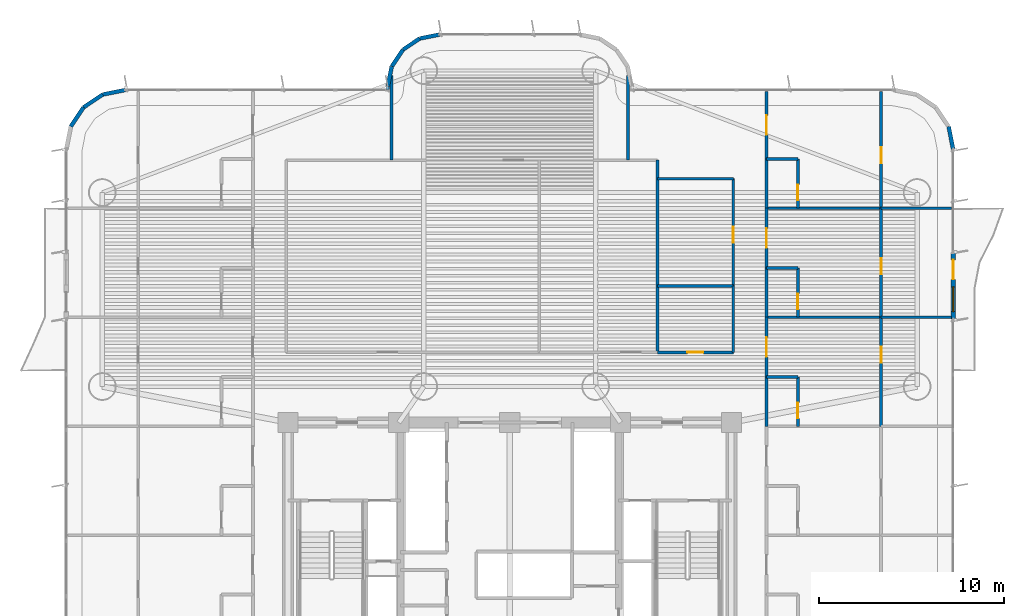
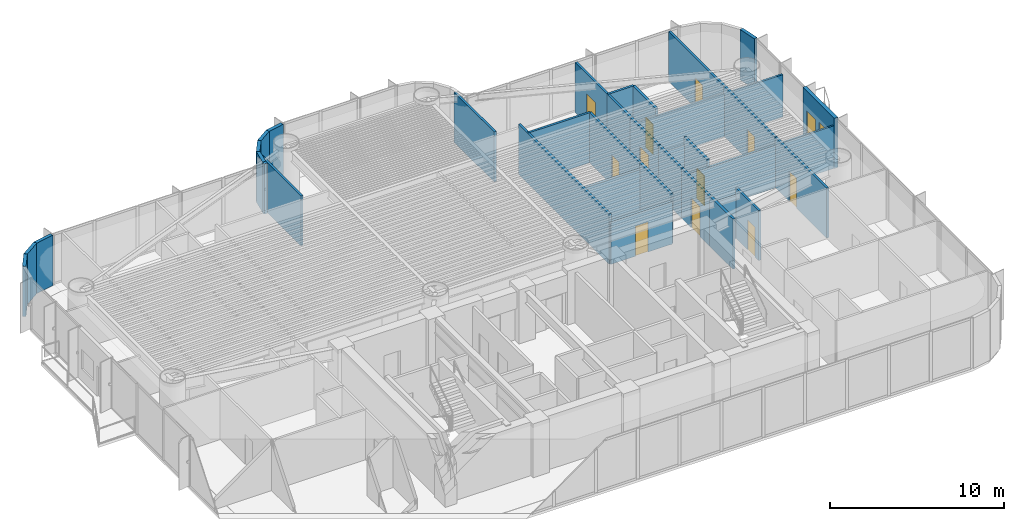
# One storey, part 13 of 18: 37 walls, 12 doors, 1 window, 13 openings.
"""IFC4 building model written with IfcOpenShell, lengths in metres."""

from ifc_helpers import new_model, si_unit, direction, frame, frame_2d, origin, origin_2d, place, context, subcontext, project, spatial, rectangle, extrude, source, transform, mapped, material, layer, layer_set, type_object, element, fill, save


model = new_model("IFC4")

# Units and contexts
model_context = context("Model", 3, precision=1e-05, world=origin(), true_north=direction((0.0, 1.0)))
body_context = subcontext(model_context, "Body", "Model", "MODEL_VIEW")
ifc_project = project(units=[si_unit("LENGTHUNIT", "METRE"), si_unit("AREAUNIT", "SQUARE_METRE"), si_unit("VOLUMEUNIT", "CUBIC_METRE"), si_unit("PLANEANGLEUNIT", "RADIAN"), si_unit("MASSUNIT", "GRAM", prefix="KILO")], contexts=[model_context])

# Site, building, storey
site_placement = place(None, origin())
site = spatial("IfcSite", under=ifc_project, at=site_placement, CompositionType="ELEMENT")
building_placement = place(site_placement, origin())
building = spatial("IfcBuilding", under=site, at=building_placement, Name="Brelvock Crest Care Tower", CompositionType="ELEMENT")
storey_placement = place(building_placement, frame((0.0, 0.0, 42.1201171875)))
storey = spatial("IfcBuildingStorey", under=building, at=storey_placement, Name="L10", CompositionType="ELEMENT", Elevation=42.1201171875)

# Wall, openings, door, window
ifc_material_1 = material(Name="Precast concrete N40 (40 MPa)", Category="concrete")
ifc_layer_1 = layer(ifc_material_1, 0.239990234375, Name="WL-EX1")
ifc_layer_set_1 = layer_set([ifc_layer_1], Name="Precast concrete N40 (40 MPa)")
wall_type_1 = type_object("IfcWallType", Name="WL-EX1", PredefinedType="SOLIDWALL", material=ifc_layer_set_1)
wall_1_placement = place(storey_placement, frame((60.0, 27.199951171875, 0.0), z_axis=(0.0, 0.0, 1.0), x_axis=(0.0, -1.0, 0.0)))
wall_1 = element("IfcWall", 1, at=wall_1_placement, inside=storey, type_object=wall_type_1, Name="L10 Exterior Spandrel Wall WL-BAL-L10-E", PredefinedType="SOLIDWALL", context=body_context, shape_type="SweptSolid", body=[
    extrude(rectangle(XDim=3.599853515625, YDim=0.239990234375, at=frame_2d((1.7998046875, 0.0))), origin(), (0.0, 0.0, 1.0), 3.52978515625),
])
opening_1_placement = place(wall_1_placement, frame((0.39990234375, 0.0, 0.0)))
opening_1 = element("IfcOpeningElement", 2, at=opening_1_placement, cuts=wall_1, Name="Opening BD-1", PredefinedType="OPENING", context=body_context, shape_type="SweptSolid", body=[
    extrude(rectangle(XDim=1.050048828125, YDim=2.14990234375, at=origin_2d()), frame((0.52490234375, 0.1298828125, 1.074951171875), z_axis=(0.0, -1.0, 0.0), x_axis=(1.0, 0.0, 0.0)), (0.0, 0.0, 1.0), 0.260009765625),
])
opening_2_placement = place(wall_1_placement, frame((1.85009765625, 0.0, 0.85009765625)))
opening_2 = element("IfcOpeningElement", 3, at=opening_2_placement, cuts=wall_1, Name="Opening W-01", PredefinedType="OPENING", context=body_context, shape_type="SweptSolid", body=[
    extrude(rectangle(XDim=1.35009765625, YDim=1.35009765625, at=origin_2d()), frame((0.675048828125, 0.1298828125, 0.675048828125), z_axis=(0.0, -1.0, 0.0), x_axis=(1.0, 0.0, 0.0)), (0.0, 0.0, 1.0), 0.260009765625),
])
ifc_material_2 = material(Name="Dark Glass Double Glazed Low-E", Category="glass")
door_type_1 = type_object("IfcDoorType", Name="DR-BAL1", OperationType="NOTDEFINED", PredefinedType="DOOR", material=ifc_material_2)
shared_shape_1 = source(origin(), body_context, "Body", "SweptSolid", [
    extrude(rectangle(XDim=1.050048828125, YDim=2.14990234375, at=origin_2d()), frame((0.52490234375, 0.02490234375, 1.074951171875), z_axis=(0.0, -1.0, 0.0), x_axis=(1.0, 0.0, 0.0)), (0.0, 0.0, 1.0), 0.050048828125),
])
door_1_placement = place(opening_1_placement, origin())
door_1 = element("IfcDoor", 4, at=door_1_placement, inside=storey, type_object=door_type_1, Name="L10 E Wave Balcony Glazed Door", OperationType="SINGLE_SWING_RIGHT", OverallHeight=2.14990234375, OverallWidth=1.050048828125, PredefinedType="DOOR", context=body_context, shape_type="MappedRepresentation", body=[
    mapped(shared_shape_1, transform((0.0, 0.0, 0.0), x_axis=(1.0, 0.0, 0.0), y_axis=(0.0, 1.0, 0.0), z_axis=(0.0, 0.0, 1.0), scale=1.0)),
])
fill(opening_1, door_1)
window_type = type_object("IfcWindowType", Name="WN-EX1", PartitioningType="SINGLE_PANEL", PredefinedType="WINDOW", material=ifc_material_2)
shared_shape_2 = source(origin(), body_context, "Body", "SweptSolid", [
    extrude(rectangle(XDim=1.35009765625, YDim=1.35009765625, at=origin_2d()), frame((0.675048828125, 0.030029296875, 0.675048828125), z_axis=(0.0, -1.0, 0.0), x_axis=(1.0, 0.0, 0.0)), (0.0, 0.0, 1.0), 0.06005859375),
])
window_placement = place(opening_2_placement, origin())
window = element("IfcWindow", 5, at=window_placement, inside=storey, type_object=window_type, Name="L10 E Suite Casement Window", OverallHeight=1.35009765625, OverallWidth=1.35009765625, PartitioningType="SINGLE_PANEL", PredefinedType="WINDOW", context=body_context, shape_type="MappedRepresentation", body=[
    mapped(shared_shape_2, transform((0.0, 0.0, 0.0), x_axis=(1.0, 0.0, 0.0), y_axis=(0.0, 1.0, 0.0), z_axis=(0.0, 0.0, 1.0), scale=1.0)),
])
fill(opening_2, window)

# Walls
ifc_layer_2 = layer(ifc_material_1, 0.215087890625, Name="WL-EX2")
ifc_layer_set_2 = layer_set([ifc_layer_2], Name="Precast concrete N40 (40 MPa)")
wall_type_2 = type_object("IfcWallType", Name="WL-EX2", PredefinedType="SOLIDWALL", material=ifc_layer_set_2)
for number, where, z_axis, x_axis, name in (
    (6, (59.75634765625, 34.024658203125, 0.0), (0.0, 0.0, 1.0), (0.195138390419, -0.980775717779, 0.0), "L10 Rounded Corner Wall 02"),
    (7, (12.24365234375, 34.024658203125, 0.0), (0.0, 0.0, 1.0), (0.555557312883, 0.831478245117, 0.0), "L10 Rounded Corner Wall 15"),
    (8, (12.937255859375, 35.062744140625, 0.0), (0.0, 0.0, 1.0), (0.831478245117, 0.555557312883, 0.0), "L10 Rounded Corner Wall 16"),
    (9, (13.975341796875, 35.75634765625, 0.0), (0.0, 0.0, 1.0), (0.980775717779, 0.195138390419, 0.0), "L10 Rounded Corner Wall 17"),
):
    element("IfcWall", number, at=place(storey_placement, frame(where, z_axis=z_axis, x_axis=x_axis)), inside=storey, type_object=wall_type_2, Name=name, PredefinedType="SOLIDWALL", context=body_context, shape_type="SweptSolid", body=[
        extrude(rectangle(XDim=1.24853515625, YDim=0.215087890625, at=frame_2d((0.624267578125, 0.0))), origin(), (0.0, 0.0, 1.0), 3.52978515625),
    ])
wall_2_placement = place(storey_placement, frame((29.39990234375, 36.0, 0.0), z_axis=(0.0, 0.0, 1.0), x_axis=(0.0, 1.0, 0.0)))
element("IfcWall", 10, at=wall_2_placement, inside=storey, type_object=wall_type_2, Name="L10 Rounded Corner Wall 19", PredefinedType="SOLIDWALL", context=body_context, shape_type="SweptSolid", body=[
    extrude(rectangle(XDim=0.199951171875, YDim=0.215087890625, at=frame_2d((0.10009765625, 0.0))), origin(), (0.0, 0.0, 1.0), 3.52978515625),
])
wall_3_placement = place(storey_placement, frame((29.39990234375, 36.199951171875, 0.0), z_axis=(0.0, 0.0, 1.0), x_axis=(0.195084651288, 0.980786408364, 0.0)))
element("IfcWall", 11, at=wall_3_placement, inside=storey, type_object=wall_type_2, Name="L10 Rounded Corner Wall 20", PredefinedType="SOLIDWALL", context=body_context, shape_type="SweptSolid", body=[
    extrude(rectangle(XDim=1.092529296875, YDim=0.215087890625, at=frame_2d((0.54638671875, 0.0))), origin(), (0.0, 0.0, 1.0), 3.52978515625),
])
wall_4_placement = place(storey_placement, frame((29.613037109375, 37.271484375, 0.0), z_axis=(0.0, 0.0, 1.0), x_axis=(0.555679482341, 0.831396603857, 0.0)))
element("IfcWall", 12, at=wall_4_placement, inside=storey, type_object=wall_type_2, Name="L10 Rounded Corner Wall 21", PredefinedType="SOLIDWALL", context=body_context, shape_type="SweptSolid", body=[
    extrude(rectangle(XDim=1.0927734375, YDim=0.215087890625, at=frame_2d((0.54638671875, 0.0))), origin(), (0.0, 0.0, 1.0), 3.52978515625),
])
wall_5_placement = place(storey_placement, frame((30.22021484375, 38.179931640625, 0.0), z_axis=(0.0, 0.0, 1.0), x_axis=(0.831430845238, 0.555628247651, 0.0)))
element("IfcWall", 13, at=wall_5_placement, inside=storey, type_object=wall_type_2, Name="L10 Rounded Corner Wall 22", PredefinedType="SOLIDWALL", context=body_context, shape_type="SweptSolid", body=[
    extrude(rectangle(XDim=1.09228515625, YDim=0.215087890625, at=frame_2d((0.546142578125, 0.0))), origin(), (0.0, 0.0, 1.0), 3.52978515625),
])
wall_6_placement = place(storey_placement, frame((31.12841796875, 38.786865234375, 0.0), z_axis=(0.0, 0.0, 1.0), x_axis=(0.980786408364, 0.195084651288, 0.0)))
element("IfcWall", 14, at=wall_6_placement, inside=storey, type_object=wall_type_2, Name="L10 Rounded Corner Wall 23", PredefinedType="SOLIDWALL", context=body_context, shape_type="SweptSolid", body=[
    extrude(rectangle(XDim=1.092529296875, YDim=0.215087890625, at=frame_2d((0.54638671875, 0.0))), origin(), (0.0, 0.0, 1.0), 3.52978515625),
])
ifc_material_3 = material(Name="Masonry Blockwork Acoustic Partition", Category="masonry")
ifc_layer_3 = layer(ifc_material_3, 0.14990234375, Name="WL-INT1")
ifc_layer_set_3 = layer_set([ifc_layer_3], Name="Masonry Blockwork Acoustic Partition")
wall_type_3 = type_object("IfcWallType", Name="WL-INT1", PredefinedType="PARTITIONING", material=ifc_layer_set_3)
for number, where, z_axis, x_axis, name in (
    (15, (49.89990234375, 23.699951171875, 0.0), (0.0, 0.0, 1.0), (1.0, 0.0, 0.0), "L10 Interior Wall WL-BX-L10-CS-EC3-N"),
    (16, (49.89990234375, 29.60009765625, 0.0), (0.0, 0.0, 1.0), (1.0, 0.0, 0.0), "L10 Interior Wall WL-BX-L10-CS-EC4-N"),
):
    element("IfcWall", number, at=place(storey_placement, frame(where, z_axis=z_axis, x_axis=x_axis)), inside=storey, type_object=wall_type_3, Name=name, PredefinedType="PARTITIONING", context=body_context, shape_type="SweptSolid", body=[
        extrude(rectangle(XDim=6.2001953125, YDim=0.14990234375, at=frame_2d((3.10009765625, 0.0))), origin(), (0.0, 0.0, 1.0), 2.98193359375),
    ])
wall_7_placement = place(storey_placement, frame((44.0, 31.199951171875, 0.0), z_axis=(0.0, 0.0, 1.0), x_axis=(1.0, 0.0, 0.0)))
element("IfcWall", 17, at=wall_7_placement, inside=storey, type_object=wall_type_3, Name="L10 Interior Wall WL-BX-L10-CKIT-N", PredefinedType="PARTITIONING", context=body_context, shape_type="SweptSolid", body=[
    extrude(rectangle(XDim=4.10009765625, YDim=0.14990234375, at=frame_2d((2.050048828125, 0.0))), origin(), (0.0, 0.0, 1.0), 3.5),
])
for number, where, z_axis, x_axis, name in (
    (18, (29.60009765625, 32.199951171875, 0.0), (0.0, 0.0, 1.0), (0.0, 1.0, 0.0), "L10 Interior Wall WL-BX-L10-NHUB-W"),
    (19, (42.39990234375, 32.199951171875, 0.0), (0.0, 0.0, 1.0), (0.0, 1.0, 0.0), "L10 Interior Wall WL-BX-L10-NHUB-E"),
):
    element("IfcWall", number, at=place(storey_placement, frame(where, z_axis=z_axis, x_axis=x_axis)), inside=storey, type_object=wall_type_3, Name=name, PredefinedType="PARTITIONING", context=body_context, shape_type="SweptSolid", body=[
        extrude(rectangle(XDim=4.595458984375, YDim=0.14990234375, at=frame_2d((2.2978515625, 0.0))), origin(), (0.0, 0.0, 1.0), 3.5),
    ])

# Wall, opening, door
wall_8_placement = place(storey_placement, frame((48.10009765625, 25.39990234375, 0.0), z_axis=(0.0, 0.0, 1.0), x_axis=(0.0, 1.0, 0.0)))
wall_8 = element("IfcWall", 20, at=wall_8_placement, inside=storey, type_object=wall_type_3, Name="L10 Interior Wall WL-RM-L10-CKIT", PredefinedType="PARTITIONING", context=body_context, shape_type="SweptSolid", body=[
    extrude(rectangle(XDim=5.800048828125, YDim=0.14990234375, at=frame_2d((2.89990234375, 0.0))), origin(), (0.0, 0.0, 1.0), 3.5),
])
opening_3_placement = place(wall_8_placement, frame((2.340087890625, 0.0, 0.0)))
opening_3 = element("IfcOpeningElement", 21, at=opening_3_placement, cuts=wall_8, Name="Opening ID-1", PredefinedType="OPENING", context=body_context, shape_type="SweptSolid", body=[
    extrude(rectangle(XDim=0.860107421875, YDim=2.10009765625, at=origin_2d()), frame((0.43017578125, 0.0849609375, 1.050048828125), z_axis=(0.0, -1.0, 0.0), x_axis=(1.0, 0.0, 0.0)), (0.0, 0.0, 1.0), 0.169921875),
])
ifc_material_4 = material(Name="Engineered Hardwood Timber", Category="wood")
door_type_2 = type_object("IfcDoorType", Name="DR-INT1", OperationType="NOTDEFINED", PredefinedType="DOOR", material=ifc_material_4)
shared_shape_3 = source(origin(), body_context, "Body", "SweptSolid", [
    extrude(rectangle(XDim=0.860107421875, YDim=2.10009765625, at=origin_2d()), frame((0.43017578125, 0.02490234375, 1.050048828125), z_axis=(0.0, -1.0, 0.0), x_axis=(1.0, 0.0, 0.0)), (0.0, 0.0, 1.0), 0.050048828125),
])
door_2_placement = place(opening_3_placement, origin())
door_2 = element("IfcDoor", 22, at=door_2_placement, inside=storey, type_object=door_type_2, Name="L10 Neighbourhood Pantry Kitchen Door CKIT", OperationType="SINGLE_SWING_LEFT", OverallHeight=2.10009765625, OverallWidth=0.860107421875, PredefinedType="DOOR", context=body_context, shape_type="MappedRepresentation", body=[
    mapped(shared_shape_3, transform((0.0, 0.0, 0.0), x_axis=(1.0, 0.0, 0.0), y_axis=(0.0, 1.0, 0.0), z_axis=(0.0, 0.0, 1.0), scale=1.0)),
])
fill(opening_3, door_2)

wall_9_placement = place(storey_placement, frame((49.89990234375, 20.455078125, 0.0), z_axis=(0.0, 0.0, 1.0), x_axis=(0.0, 1.0, 0.0)))
wall_9 = element("IfcWall", 23, at=wall_9_placement, inside=storey, type_object=wall_type_3, Name="L10 Interior Wall WL-CENT-L10-EC3", PredefinedType="PARTITIONING", context=body_context, shape_type="SweptSolid", body=[
    extrude(rectangle(XDim=3.244873046875, YDim=0.14990234375, at=frame_2d((1.62255859375, 0.0))), origin(), (0.0, 0.0, 1.0), 3.5),
])
opening_4_placement = place(wall_9_placement, frame((1.10302734375, 0.0, 0.0)))
opening_4 = element("IfcOpeningElement", 24, at=opening_4_placement, cuts=wall_9, Name="Opening CD-1", PredefinedType="OPENING", context=body_context, shape_type="SweptSolid", body=[
    extrude(rectangle(XDim=1.050048828125, YDim=2.10009765625, at=origin_2d()), frame((0.52490234375, 0.0849609375, 1.050048828125), z_axis=(0.0, -1.0, 0.0), x_axis=(1.0, 0.0, 0.0)), (0.0, 0.0, 1.0), 0.169921875),
])
door_type_3 = type_object("IfcDoorType", Name="DR-CARE1", OperationType="NOTDEFINED", PredefinedType="DOOR", material=ifc_material_4)
shared_shape_4 = source(origin(), body_context, "Body", "SweptSolid", [
    extrude(rectangle(XDim=1.050048828125, YDim=2.10009765625, at=origin_2d()), frame((0.52490234375, 0.02490234375, 1.050048828125), z_axis=(0.0, -1.0, 0.0), x_axis=(1.0, 0.0, 0.0)), (0.0, 0.0, 1.0), 0.050048828125),
])
door_3_placement = place(opening_4_placement, origin())
door_3 = element("IfcDoor", 25, at=door_3_placement, inside=storey, type_object=door_type_3, Name="L10 Care Suite Door EC3", OperationType="SINGLE_SWING_LEFT", OverallHeight=2.10009765625, OverallWidth=1.050048828125, PredefinedType="DOOR", context=body_context, shape_type="MappedRepresentation", body=[
    mapped(shared_shape_4, transform((0.0, 0.0, 0.0), x_axis=(1.0, 0.0, 0.0), y_axis=(0.0, 1.0, 0.0), z_axis=(0.0, 0.0, 1.0), scale=1.0)),
])
fill(opening_4, door_3)

wall_10_placement = place(storey_placement, frame((49.89990234375, 26.35498046875, 0.0), z_axis=(0.0, 0.0, 1.0), x_axis=(0.0, 1.0, 0.0)))
wall_10 = element("IfcWall", 26, at=wall_10_placement, inside=storey, type_object=wall_type_3, Name="L10 Interior Wall WL-CENT-L10-EC4", PredefinedType="PARTITIONING", context=body_context, shape_type="SweptSolid", body=[
    extrude(rectangle(XDim=3.2451171875, YDim=0.14990234375, at=frame_2d((1.62255859375, 0.0))), origin(), (0.0, 0.0, 1.0), 3.5),
])
opening_5_placement = place(wall_10_placement, frame((1.10302734375, 0.0, 0.0)))
opening_5 = element("IfcOpeningElement", 27, at=opening_5_placement, cuts=wall_10, Name="Opening CD-1", PredefinedType="OPENING", context=body_context, shape_type="SweptSolid", body=[
    extrude(rectangle(XDim=1.050048828125, YDim=2.10009765625, at=origin_2d()), frame((0.52490234375, 0.0849609375, 1.050048828125), z_axis=(0.0, -1.0, 0.0), x_axis=(1.0, 0.0, 0.0)), (0.0, 0.0, 1.0), 0.169921875),
])
door_4_placement = place(opening_5_placement, origin())
door_4 = element("IfcDoor", 28, at=door_4_placement, inside=storey, type_object=door_type_3, Name="L10 Care Suite Door EC4", OperationType="SINGLE_SWING_LEFT", OverallHeight=2.10009765625, OverallWidth=1.050048828125, PredefinedType="DOOR", context=body_context, shape_type="MappedRepresentation", body=[
    mapped(shared_shape_4, transform((0.0, 0.0, 0.0), x_axis=(1.0, 0.0, 0.0), y_axis=(0.0, 1.0, 0.0), z_axis=(0.0, 0.0, 1.0), scale=1.0)),
])
fill(opening_5, door_4)

wall_11_placement = place(storey_placement, frame((49.89990234375, 32.263916015625, 0.0), z_axis=(0.0, 0.0, 1.0), x_axis=(0.0, 1.0, 0.0)))
wall_11 = element("IfcWall", 29, at=wall_11_placement, inside=storey, type_object=wall_type_3, Name="L10 Interior Wall WL-CENT-L10-EC5", PredefinedType="PARTITIONING", context=body_context, shape_type="SweptSolid", body=[
    extrude(rectangle(XDim=3.65625, YDim=0.14990234375, at=frame_2d((1.828125, 0.0))), origin(), (0.0, 0.0, 1.0), 3.5),
])
opening_6_placement = place(wall_11_placement, frame((1.30810546875, 0.0, 0.0)))
opening_6 = element("IfcOpeningElement", 30, at=opening_6_placement, cuts=wall_11, Name="Opening CD-1", PredefinedType="OPENING", context=body_context, shape_type="SweptSolid", body=[
    extrude(rectangle(XDim=1.050048828125, YDim=2.10009765625, at=origin_2d()), frame((0.52490234375, 0.0849609375, 1.050048828125), z_axis=(0.0, -1.0, 0.0), x_axis=(1.0, 0.0, 0.0)), (0.0, 0.0, 1.0), 0.169921875),
])
door_5_placement = place(opening_6_placement, origin())
door_5 = element("IfcDoor", 31, at=door_5_placement, inside=storey, type_object=door_type_3, Name="L10 Care Suite Door EC5", OperationType="SINGLE_SWING_LEFT", OverallHeight=2.10009765625, OverallWidth=1.050048828125, PredefinedType="DOOR", context=body_context, shape_type="MappedRepresentation", body=[
    mapped(shared_shape_4, transform((0.0, 0.0, 0.0), x_axis=(1.0, 0.0, 0.0), y_axis=(0.0, 1.0, 0.0), z_axis=(0.0, 0.0, 1.0), scale=1.0)),
])
fill(opening_6, door_5)

wall_12_placement = place(storey_placement, frame((56.10009765625, 17.800048828125, 0.0), z_axis=(0.0, 0.0, 1.0), x_axis=(0.0, 1.0, 0.0)))
wall_12 = element("IfcWall", 32, at=wall_12_placement, inside=storey, type_object=wall_type_3, Name="L10 Interior Wall WL-RM-L10-EC3S", PredefinedType="PARTITIONING", context=body_context, shape_type="SweptSolid", body=[
    extrude(rectangle(XDim=5.89990234375, YDim=0.14990234375, at=frame_2d((2.949951171875, 0.0))), origin(), (0.0, 0.0, 1.0), 3.5),
])
opening_7_placement = place(wall_12_placement, frame((3.43994140625, 0.0, 0.0)))
opening_7 = element("IfcOpeningElement", 33, at=opening_7_placement, cuts=wall_12, Name="Opening ID-1", PredefinedType="OPENING", context=body_context, shape_type="SweptSolid", body=[
    extrude(rectangle(XDim=0.860107421875, YDim=2.10009765625, at=origin_2d()), frame((0.43017578125, 0.0849609375, 1.050048828125), z_axis=(0.0, -1.0, 0.0), x_axis=(1.0, 0.0, 0.0)), (0.0, 0.0, 1.0), 0.169921875),
])
door_6_placement = place(opening_7_placement, origin())
door_6 = element("IfcDoor", 34, at=door_6_placement, inside=storey, type_object=door_type_2, Name="L10 Assisted Care Mobility Store Door EC3S", OperationType="SINGLE_SWING_LEFT", OverallHeight=2.10009765625, OverallWidth=0.860107421875, PredefinedType="DOOR", context=body_context, shape_type="MappedRepresentation", body=[
    mapped(shared_shape_3, transform((0.0, 0.0, 0.0), x_axis=(1.0, 0.0, 0.0), y_axis=(0.0, 1.0, 0.0), z_axis=(0.0, 0.0, 1.0), scale=1.0)),
])
fill(opening_7, door_6)

wall_13_placement = place(storey_placement, frame((56.10009765625, 23.699951171875, 0.0), z_axis=(0.0, 0.0, 1.0), x_axis=(0.0, 1.0, 0.0)))
wall_13 = element("IfcWall", 35, at=wall_13_placement, inside=storey, type_object=wall_type_3, Name="L10 Interior Wall WL-RM-L10-EC4S", PredefinedType="PARTITIONING", context=body_context, shape_type="SweptSolid", body=[
    extrude(rectangle(XDim=5.900146484375, YDim=0.14990234375, at=frame_2d((2.9501953125, 0.0))), origin(), (0.0, 0.0, 1.0), 3.5),
])
opening_8_placement = place(wall_13_placement, frame((2.340087890625, 0.0, 0.0)))
opening_8 = element("IfcOpeningElement", 36, at=opening_8_placement, cuts=wall_13, Name="Opening ID-1", PredefinedType="OPENING", context=body_context, shape_type="SweptSolid", body=[
    extrude(rectangle(XDim=0.860107421875, YDim=2.10009765625, at=origin_2d()), frame((0.43017578125, 0.0849609375, 1.050048828125), z_axis=(0.0, -1.0, 0.0), x_axis=(1.0, 0.0, 0.0)), (0.0, 0.0, 1.0), 0.169921875),
])
door_7_placement = place(opening_8_placement, origin())
door_7 = element("IfcDoor", 37, at=door_7_placement, inside=storey, type_object=door_type_2, Name="L10 Assisted Care Mobility Store Door EC4S", OperationType="SINGLE_SWING_LEFT", OverallHeight=2.10009765625, OverallWidth=0.860107421875, PredefinedType="DOOR", context=body_context, shape_type="MappedRepresentation", body=[
    mapped(shared_shape_3, transform((0.0, 0.0, 0.0), x_axis=(1.0, 0.0, 0.0), y_axis=(0.0, 1.0, 0.0), z_axis=(0.0, 0.0, 1.0), scale=1.0)),
])
fill(opening_8, door_7)

wall_14_placement = place(storey_placement, frame((56.10009765625, 29.60009765625, 0.0), z_axis=(0.0, 0.0, 1.0), x_axis=(0.0, 1.0, 0.0)))
wall_14 = element("IfcWall", 38, at=wall_14_placement, inside=storey, type_object=wall_type_3, Name="L10 Interior Wall WL-RM-L10-EC5S", PredefinedType="PARTITIONING", context=body_context, shape_type="SweptSolid", body=[
    extrude(rectangle(XDim=6.31982421875, YDim=0.14990234375, at=frame_2d((3.159912109375, 0.0))), origin(), (0.0, 0.0, 1.0), 3.5),
])
opening_9_placement = place(wall_14_placement, frame((2.43994140625, 0.0, 0.0)))
opening_9 = element("IfcOpeningElement", 39, at=opening_9_placement, cuts=wall_14, Name="Opening ID-1", PredefinedType="OPENING", context=body_context, shape_type="SweptSolid", body=[
    extrude(rectangle(XDim=0.860107421875, YDim=2.10009765625, at=origin_2d()), frame((0.43017578125, 0.0849609375, 1.050048828125), z_axis=(0.0, -1.0, 0.0), x_axis=(1.0, 0.0, 0.0)), (0.0, 0.0, 1.0), 0.169921875),
])
door_8_placement = place(opening_9_placement, origin())
door_8 = element("IfcDoor", 40, at=door_8_placement, inside=storey, type_object=door_type_2, Name="L10 Assisted Care Mobility Store Door EC5S", OperationType="SINGLE_SWING_LEFT", OverallHeight=2.10009765625, OverallWidth=0.860107421875, PredefinedType="DOOR", context=body_context, shape_type="MappedRepresentation", body=[
    mapped(shared_shape_3, transform((0.0, 0.0, 0.0), x_axis=(1.0, 0.0, 0.0), y_axis=(0.0, 1.0, 0.0), z_axis=(0.0, 0.0, 1.0), scale=1.0)),
])
fill(opening_9, door_8)

# Walls
ifc_material_5 = material(Name="Gypsum Plasterboard Partition", Category="gypsum")
ifc_layer_4 = layer(ifc_material_5, 0.1201171875, Name="WL-INT2")
ifc_layer_set_4 = layer_set([ifc_layer_4], Name="Gypsum Plasterboard Partition")
wall_type_4 = type_object("IfcWallType", Name="WL-INT2", PredefinedType="PARTITIONING", material=ifc_layer_set_4)
for number, where, z_axis, x_axis, name in (
    (41, (56.10009765625, 23.699951171875, 0.0), (0.0, 0.0, 1.0), (1.0, 0.0, 0.0), "L10 Interior Wall WL-BX-L10-EC3S-N"),
    (42, (56.10009765625, 29.60009765625, 0.0), (0.0, 0.0, 1.0), (1.0, 0.0, 0.0), "L10 Interior Wall WL-BX-L10-EC4S-N"),
):
    element("IfcWall", number, at=place(storey_placement, frame(where, z_axis=z_axis, x_axis=x_axis)), inside=storey, type_object=wall_type_4, Name=name, PredefinedType="PARTITIONING", context=body_context, shape_type="SweptSolid", body=[
        extrude(rectangle(XDim=3.81982421875, YDim=0.1201171875, at=frame_2d((1.909912109375, 0.0))), origin(), (0.0, 0.0, 1.0), 2.98193359375),
    ])
ifc_layer_5 = layer(ifc_material_5, 0.159912109375, Name="WL-PLM1")
ifc_layer_set_5 = layer_set([ifc_layer_5], Name="Gypsum Plasterboard Partition")
wall_type_5 = type_object("IfcWallType", Name="WL-PLM1", PredefinedType="PLUMBINGWALL", material=ifc_layer_set_5)
wall_15_placement = place(storey_placement, frame((49.89990234375, 20.455078125, 0.0), z_axis=(0.0, 0.0, 1.0), x_axis=(1.0, 0.0, 0.0)))
element("IfcWall", 43, at=wall_15_placement, inside=storey, type_object=wall_type_5, Name="L10 Interior Wall WL-CENS2-L10-EC3", PredefinedType="PLUMBINGWALL", context=body_context, shape_type="SweptSolid", body=[
    extrude(rectangle(XDim=1.7001953125, YDim=0.159912109375, at=frame_2d((0.85009765625, 0.0))), origin(), (0.0, 0.0, 1.0), 2.98193359375),
])

# Wall, opening, door
wall_16_placement = place(storey_placement, frame((44.0, 21.800048828125, 0.0), z_axis=(0.0, 0.0, 1.0), x_axis=(1.0, 0.0, 0.0)))
wall_16 = element("IfcWall", 44, at=wall_16_placement, inside=storey, type_object=wall_type_5, Name="L10 Interior Wall WL-RM-L10-CAWC", PredefinedType="PLUMBINGWALL", context=body_context, shape_type="SweptSolid", body=[
    extrude(rectangle(XDim=4.10009765625, YDim=0.159912109375, at=frame_2d((2.050048828125, 0.0))), origin(), (0.0, 0.0, 1.0), 2.98193359375),
])
opening_10_placement = place(wall_16_placement, frame((1.6201171875, 0.0, 0.0)))
opening_10 = element("IfcOpeningElement", 45, at=opening_10_placement, cuts=wall_16, Name="Opening WD-1", PredefinedType="OPENING", context=body_context, shape_type="SweptSolid", body=[
    extrude(rectangle(XDim=0.860107421875, YDim=2.10009765625, at=origin_2d()), frame((0.43017578125, 0.08984375, 1.050048828125), z_axis=(0.0, -1.0, 0.0), x_axis=(1.0, 0.0, 0.0)), (0.0, 0.0, 1.0), 0.179931640625),
])
door_type_4 = type_object("IfcDoorType", Name="DR-WC1", OperationType="NOTDEFINED", PredefinedType="DOOR", material=ifc_material_4)
shared_shape_5 = source(origin(), body_context, "Body", "SweptSolid", [
    extrude(rectangle(XDim=0.860107421875, YDim=2.10009765625, at=origin_2d()), frame((0.43017578125, 0.02490234375, 1.050048828125), z_axis=(0.0, -1.0, 0.0), x_axis=(1.0, 0.0, 0.0)), (0.0, 0.0, 1.0), 0.050048828125),
])
door_9_placement = place(opening_10_placement, origin())
door_9 = element("IfcDoor", 46, at=door_9_placement, inside=storey, type_object=door_type_4, Name="L10 Floor Accessible WC Door CAWC", OperationType="SINGLE_SWING_LEFT", OverallHeight=2.10009765625, OverallWidth=0.860107421875, PredefinedType="DOOR", context=body_context, shape_type="MappedRepresentation", body=[
    mapped(shared_shape_5, transform((0.0, 0.0, 0.0), x_axis=(1.0, 0.0, 0.0), y_axis=(0.0, 1.0, 0.0), z_axis=(0.0, 0.0, 1.0), scale=1.0)),
])
fill(opening_10, door_9)

# Walls
wall_17_placement = place(storey_placement, frame((44.0, 25.39990234375, 0.0), z_axis=(0.0, 0.0, 1.0), x_axis=(1.0, 0.0, 0.0)))
element("IfcWall", 47, at=wall_17_placement, inside=storey, type_object=wall_type_5, Name="L10 Interior Wall WL-BX-L10-CAWC-N", PredefinedType="PLUMBINGWALL", context=body_context, shape_type="SweptSolid", body=[
    extrude(rectangle(XDim=4.10009765625, YDim=0.159912109375, at=frame_2d((2.050048828125, 0.0))), origin(), (0.0, 0.0, 1.0), 3.054931640625),
])
wall_18_placement = place(storey_placement, frame((49.89990234375, 26.35498046875, 0.0), z_axis=(0.0, 0.0, 1.0), x_axis=(1.0, 0.0, 0.0)))
element("IfcWall", 48, at=wall_18_placement, inside=storey, type_object=wall_type_5, Name="L10 Interior Wall WL-CENS2-L10-EC4", PredefinedType="PLUMBINGWALL", context=body_context, shape_type="SweptSolid", body=[
    extrude(rectangle(XDim=1.7001953125, YDim=0.159912109375, at=frame_2d((0.85009765625, 0.0))), origin(), (0.0, 0.0, 1.0), 2.98193359375),
])
wall_19_placement = place(storey_placement, frame((49.89990234375, 32.263916015625, 0.0), z_axis=(0.0, 0.0, 1.0), x_axis=(1.0, 0.0, 0.0)))
element("IfcWall", 49, at=wall_19_placement, inside=storey, type_object=wall_type_5, Name="L10 Interior Wall WL-CENS2-L10-EC5", PredefinedType="PLUMBINGWALL", context=body_context, shape_type="SweptSolid", body=[
    extrude(rectangle(XDim=1.7001953125, YDim=0.159912109375, at=frame_2d((0.85009765625, 0.0))), origin(), (0.0, 0.0, 1.0), 3.5),
])
wall_20_placement = place(storey_placement, frame((44.0, 21.800048828125, 0.0), z_axis=(0.0, 0.0, 1.0), x_axis=(0.0, 1.0, 0.0)))
element("IfcWall", 50, at=wall_20_placement, inside=storey, type_object=wall_type_5, Name="L10 Interior Wall WL-BX-L10-CNE-E", PredefinedType="PLUMBINGWALL", context=body_context, shape_type="SweptSolid", body=[
    extrude(rectangle(XDim=10.39990234375, YDim=0.159912109375, at=frame_2d((5.199951171875, 0.0))), origin(), (0.0, 0.0, 1.0), 3.5),
])
wall_21_placement = place(storey_placement, frame((48.10009765625, 21.800048828125, 0.0), z_axis=(0.0, 0.0, 1.0), x_axis=(0.0, 1.0, 0.0)))
element("IfcWall", 51, at=wall_21_placement, inside=storey, type_object=wall_type_5, Name="L10 Interior Wall WL-BX-L10-CAWC-E", PredefinedType="PLUMBINGWALL", context=body_context, shape_type="SweptSolid", body=[
    extrude(rectangle(XDim=3.599853515625, YDim=0.159912109375, at=frame_2d((1.7998046875, 0.0))), origin(), (0.0, 0.0, 1.0), 3.5),
])
for number, where, z_axis, x_axis, name in (
    (52, (49.89990234375, 17.800048828125, 0.0), (0.0, 0.0, 1.0), (0.0, 1.0, 0.0), "L10 Interior Wall WL-CENS0-L10-EC3"),
    (53, (49.89990234375, 23.699951171875, 0.0), (0.0, 0.0, 1.0), (0.0, 1.0, 0.0), "L10 Interior Wall WL-CENS0-L10-EC4"),
):
    element("IfcWall", number, at=place(storey_placement, frame(where, z_axis=z_axis, x_axis=x_axis)), inside=storey, type_object=wall_type_5, Name=name, PredefinedType="PLUMBINGWALL", context=body_context, shape_type="SweptSolid", body=[
        extrude(rectangle(XDim=2.655029296875, YDim=0.159912109375, at=frame_2d((1.32763671875, 0.0))), origin(), (0.0, 0.0, 1.0), 3.5),
    ])
wall_22_placement = place(storey_placement, frame((49.89990234375, 29.60009765625, 0.0), z_axis=(0.0, 0.0, 1.0), x_axis=(0.0, 1.0, 0.0)))
element("IfcWall", 54, at=wall_22_placement, inside=storey, type_object=wall_type_5, Name="L10 Interior Wall WL-CENS0-L10-EC5", PredefinedType="PLUMBINGWALL", context=body_context, shape_type="SweptSolid", body=[
    extrude(rectangle(XDim=2.663818359375, YDim=0.159912109375, at=frame_2d((1.33203125, 0.0))), origin(), (0.0, 0.0, 1.0), 3.5),
])

# Wall, opening, door
wall_23_placement = place(storey_placement, frame((51.60009765625, 17.800048828125, 0.0), z_axis=(0.0, 0.0, 1.0), x_axis=(0.0, 1.0, 0.0)))
wall_23 = element("IfcWall", 55, at=wall_23_placement, inside=storey, type_object=wall_type_5, Name="L10 Interior Wall WL-CENS1-L10-EC3", PredefinedType="PLUMBINGWALL", context=body_context, shape_type="SweptSolid", body=[
    extrude(rectangle(XDim=2.655029296875, YDim=0.159912109375, at=frame_2d((1.32763671875, 0.0))), origin(), (0.0, 0.0, 1.0), 3.5),
])
opening_11_placement = place(wall_23_placement, frame((0.419921875, 0.0, 0.0)))
opening_11 = element("IfcOpeningElement", 56, at=opening_11_placement, cuts=wall_23, Name="Opening WD-1", PredefinedType="OPENING", context=body_context, shape_type="SweptSolid", body=[
    extrude(rectangle(XDim=0.860107421875, YDim=2.10009765625, at=origin_2d()), frame((0.43017578125, 0.08984375, 1.050048828125), z_axis=(0.0, -1.0, 0.0), x_axis=(1.0, 0.0, 0.0)), (0.0, 0.0, 1.0), 0.179931640625),
])
door_10_placement = place(opening_11_placement, origin())
door_10 = element("IfcDoor", 57, at=door_10_placement, inside=storey, type_object=door_type_4, Name="L10 Care En-Suite Door EC3", OperationType="SINGLE_SWING_RIGHT", OverallHeight=2.10009765625, OverallWidth=0.860107421875, PredefinedType="DOOR", context=body_context, shape_type="MappedRepresentation", body=[
    mapped(shared_shape_5, transform((0.0, 0.0, 0.0), x_axis=(1.0, 0.0, 0.0), y_axis=(0.0, 1.0, 0.0), z_axis=(0.0, 0.0, 1.0), scale=1.0)),
])
fill(opening_11, door_10)

wall_24_placement = place(storey_placement, frame((51.60009765625, 23.699951171875, 0.0), z_axis=(0.0, 0.0, 1.0), x_axis=(0.0, 1.0, 0.0)))
wall_24 = element("IfcWall", 58, at=wall_24_placement, inside=storey, type_object=wall_type_5, Name="L10 Interior Wall WL-CENS1-L10-EC4", PredefinedType="PLUMBINGWALL", context=body_context, shape_type="SweptSolid", body=[
    extrude(rectangle(XDim=2.655029296875, YDim=0.159912109375, at=frame_2d((1.32763671875, 0.0))), origin(), (0.0, 0.0, 1.0), 3.5),
])
opening_12_placement = place(wall_24_placement, frame((0.419921875, 0.0, 0.0)))
opening_12 = element("IfcOpeningElement", 59, at=opening_12_placement, cuts=wall_24, Name="Opening WD-1", PredefinedType="OPENING", context=body_context, shape_type="SweptSolid", body=[
    extrude(rectangle(XDim=0.860107421875, YDim=2.10009765625, at=origin_2d()), frame((0.43017578125, 0.08984375, 1.050048828125), z_axis=(0.0, -1.0, 0.0), x_axis=(1.0, 0.0, 0.0)), (0.0, 0.0, 1.0), 0.179931640625),
])
door_11_placement = place(opening_12_placement, origin())
door_11 = element("IfcDoor", 60, at=door_11_placement, inside=storey, type_object=door_type_4, Name="L10 Care En-Suite Door EC4", OperationType="SINGLE_SWING_RIGHT", OverallHeight=2.10009765625, OverallWidth=0.860107421875, PredefinedType="DOOR", context=body_context, shape_type="MappedRepresentation", body=[
    mapped(shared_shape_5, transform((0.0, 0.0, 0.0), x_axis=(1.0, 0.0, 0.0), y_axis=(0.0, 1.0, 0.0), z_axis=(0.0, 0.0, 1.0), scale=1.0)),
])
fill(opening_12, door_11)

wall_25_placement = place(storey_placement, frame((51.60009765625, 29.60009765625, 0.0), z_axis=(0.0, 0.0, 1.0), x_axis=(0.0, 1.0, 0.0)))
wall_25 = element("IfcWall", 61, at=wall_25_placement, inside=storey, type_object=wall_type_5, Name="L10 Interior Wall WL-CENS1-L10-EC5", PredefinedType="PLUMBINGWALL", context=body_context, shape_type="SweptSolid", body=[
    extrude(rectangle(XDim=2.663818359375, YDim=0.159912109375, at=frame_2d((1.33203125, 0.0))), origin(), (0.0, 0.0, 1.0), 3.5),
])
opening_13_placement = place(wall_25_placement, frame((0.419921875, 0.0, 0.0)))
opening_13 = element("IfcOpeningElement", 62, at=opening_13_placement, cuts=wall_25, Name="Opening WD-1", PredefinedType="OPENING", context=body_context, shape_type="SweptSolid", body=[
    extrude(rectangle(XDim=0.860107421875, YDim=2.10009765625, at=origin_2d()), frame((0.43017578125, 0.08984375, 1.050048828125), z_axis=(0.0, -1.0, 0.0), x_axis=(1.0, 0.0, 0.0)), (0.0, 0.0, 1.0), 0.179931640625),
])
door_12_placement = place(opening_13_placement, origin())
door_12 = element("IfcDoor", 63, at=door_12_placement, inside=storey, type_object=door_type_4, Name="L10 Care En-Suite Door EC5", OperationType="SINGLE_SWING_RIGHT", OverallHeight=2.10009765625, OverallWidth=0.860107421875, PredefinedType="DOOR", context=body_context, shape_type="MappedRepresentation", body=[
    mapped(shared_shape_5, transform((0.0, 0.0, 0.0), x_axis=(1.0, 0.0, 0.0), y_axis=(0.0, 1.0, 0.0), z_axis=(0.0, 0.0, 1.0), scale=1.0)),
])
fill(opening_13, door_12)

save(model, "model.ifc")
